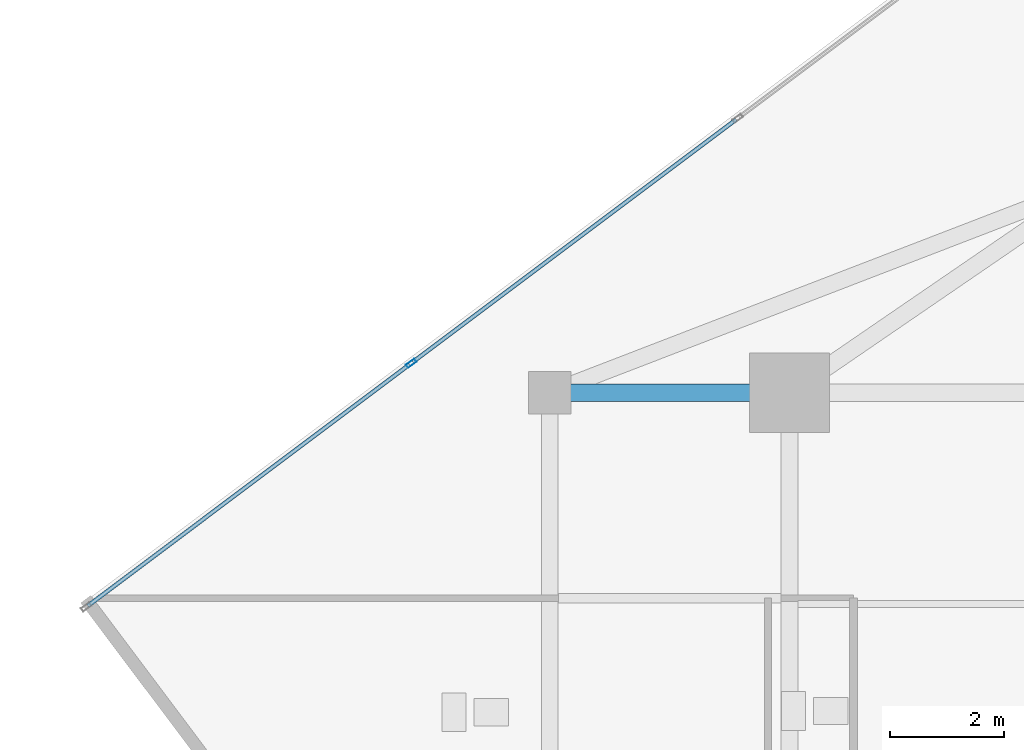
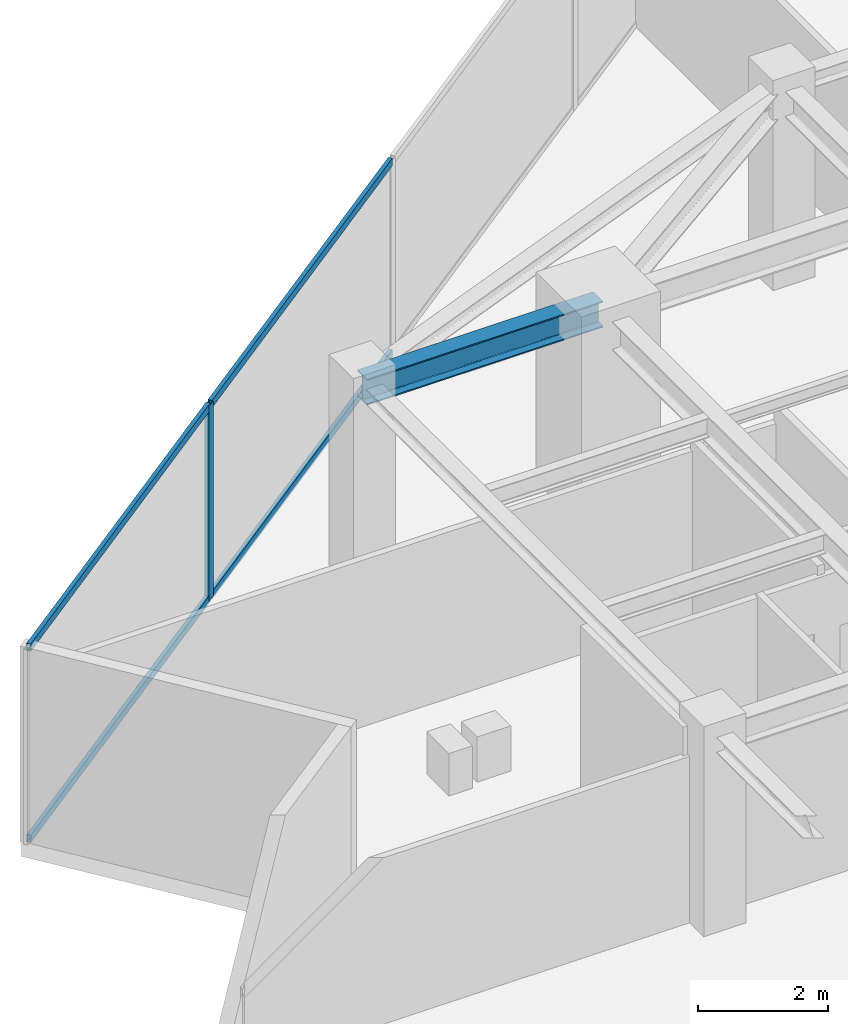
# One storey, part 11 of 21: 5 members, 1 beam, 1 element without a shape of its own.
"""IFC4 building model written with IfcOpenShell, lengths in metres."""

from ifc_helpers import new_model, si_unit, direction, frame, origin, origin_2d, place, context, subcontext, project, spatial, hollow_rectangle, i_section, extrude, source, transform, mapped, material, material_profile, profile_set, type_object, type_shapes, element, aggregate, save


model = new_model("IFC4")

# Units and contexts
model_context = context("Model", 3, precision=1e-05, world=origin(), true_north=direction((0.0, 1.0)))
body_context = subcontext(model_context, "Body", "Model", "MODEL_VIEW")
ifc_project = project(units=[si_unit("LENGTHUNIT", "METRE"), si_unit("AREAUNIT", "SQUARE_METRE"), si_unit("VOLUMEUNIT", "CUBIC_METRE"), si_unit("PLANEANGLEUNIT", "RADIAN"), si_unit("MASSUNIT", "GRAM", prefix="KILO")], contexts=[model_context])

# Site, building, storey
site_placement = place(None, origin())
site = spatial("IfcSite", under=ifc_project, at=site_placement, CompositionType="ELEMENT")
building_placement = place(site_placement, origin())
building = spatial("IfcBuilding", under=site, at=building_placement, Name="Krantzveldt Concourse Tower", CompositionType="ELEMENT")
storey_placement = place(building_placement, frame((0.0, 0.0, 267.39990234375)))
storey = spatial("IfcBuildingStorey", under=building, at=storey_placement, Name="L65", CompositionType="ELEMENT", Elevation=267.39990234375)

# Beam
ifc_material_1 = material(Name="Steel S355JR", Category="steel")
ifc_material_profile_1 = material_profile(ifc_material_1, i_section(OverallWidth=0.300048828125, OverallDepth=0.489990234375, WebThickness=0.011962890625, FlangeThickness=0.02294921875, FilletRadius=0.027099609375, at=origin_2d()), Name="Steel S355JR", Category="steel")
ifc_profile_set_1 = profile_set([ifc_material_profile_1], Name="Steel S355JR - HEA 500")
beam_type = type_object("IfcBeamType", Name="BM-B-HEA500", PredefinedType="BEAM", material=ifc_profile_set_1)
shared_shape_1 = source(origin(), body_context, "Body", "SweptSolid", [
    extrude(i_section(OverallWidth=0.300048828125, OverallDepth=0.489990234375, WebThickness=0.011962890625, FlangeThickness=0.02294921875, FilletRadius=0.027099609375, at=origin_2d()), origin(), (0.0, 0.0, 1.0), 4.199951171875),
])
type_shapes(beam_type, [shared_shape_1])
beam_placement = place(storey_placement, frame((21.0, 37.5, 3.425048828125), z_axis=(1.0, 0.0, 0.0), x_axis=(0.0, 1.0, 0.0)))
element("IfcBeam", 1, at=beam_placement, inside=storey, type_object=beam_type, Name="L65 Tower Girder BR-RL3", PredefinedType="BEAM", context=body_context, shape_type="MappedRepresentation", body=[
    mapped(shared_shape_1, transform((0.0, 0.0, 0.0), x_axis=(1.0, 0.0, 0.0), y_axis=(0.0, 1.0, 0.0), z_axis=(0.0, 0.0, 1.0), scale=1.0)),
])

# Curtain wall, members
ifc_material_2 = material(Name="Anodised aluminium 6063-T6", Category="aluminium")
curtain_wall_type = type_object("IfcCurtainWallType", Name="CW4", PredefinedType="USERDEFINED", material=ifc_material_2)
curtain_wall_placement = place(storey_placement, origin())
curtain_wall = element("IfcCurtainWall", 2, at=curtain_wall_placement, inside=storey, type_object=curtain_wall_type, Name="CW-L65-F01", ObjectType="UNITISED CURTAIN WALL", PredefinedType="USERDEFINED")
ifc_material_profile_2 = material_profile(ifc_material_2, hollow_rectangle(XDim=0.070068359375, YDim=0.179931640625, WallThickness=0.0048828125, at=origin_2d()), Name="Anodised aluminium 6063-T6", Category="aluminium")
ifc_profile_set_2 = profile_set([ifc_material_profile_2], Name="Anodised aluminium 6063-T6 - ALU-MULL 180x70x5")
member_type_1 = type_object("IfcMemberType", Name="CW-MUL-180", PredefinedType="MULLION", material=ifc_profile_set_2)
shared_shape_2 = source(origin(), body_context, "Body", "SweptSolid", [
    extrude(hollow_rectangle(XDim=0.070068359375, YDim=0.179931640625, WallThickness=0.0048828125, at=origin_2d()), origin(), (0.0, 0.0, 1.0), 3.670166015625),
])
type_shapes(member_type_1, [shared_shape_2])
member_1_placement = place(storey_placement, frame((18.572998046875, 38.016357421875, 0.0), z_axis=(0.0, 0.0, 1.0), x_axis=(0.600071326292, -0.799946500313, 0.0)))
member_1 = element("IfcMember", 3, at=member_1_placement, type_object=member_type_1, Name="CW-Z56 mullion 4", PredefinedType="MULLION", context=body_context, shape_type="MappedRepresentation", body=[
    mapped(shared_shape_2, transform((0.0, 0.0, 0.0), x_axis=(1.0, 0.0, 0.0), y_axis=(0.0, 1.0, 0.0), z_axis=(0.0, 0.0, 1.0), scale=1.0)),
])
ifc_material_profile_3 = material_profile(ifc_material_2, hollow_rectangle(XDim=0.070068359375, YDim=0.139892578125, WallThickness=0.0048828125, at=origin_2d()), Name="Anodised aluminium 6063-T6", Category="aluminium")
ifc_profile_set_3 = profile_set([ifc_material_profile_3], Name="Anodised aluminium 6063-T6 - ALU-TRAN 140x70x5")
member_type_2 = type_object("IfcMemberType", Name="CW-TRN-150", PredefinedType="USERDEFINED", material=ifc_profile_set_3)
shared_shape_3 = source(origin(), body_context, "Body", "SweptSolid", [
    extrude(hollow_rectangle(XDim=0.070068359375, YDim=0.139892578125, WallThickness=0.0048828125, at=origin_2d()), origin(), (0.0, 0.0, 1.0), 7.044921875),
])
member_2_placement = place(storey_placement, frame((18.544921875, 37.995361328125, 0.03515625), z_axis=(-0.799937616969, -0.600083168368, 0.0), x_axis=(0.600083168368, -0.799937616969, 0.0)))
member_2 = element("IfcMember", 4, at=member_2_placement, type_object=member_type_2, Name="CW-Z56 transom 4.1", ObjectType="TRANSOM", PredefinedType="USERDEFINED", context=body_context, shape_type="MappedRepresentation", body=[
    mapped(shared_shape_3, transform((0.0, 0.0, 0.0), x_axis=(1.0, 0.0, 0.0), y_axis=(0.0, 1.0, 0.0), z_axis=(0.0, 0.0, 1.0), scale=1.0)),
])
member_3_placement = place(storey_placement, frame((18.544921875, 37.995361328125, 3.635009765625), z_axis=(-0.799937616969, -0.600083168368, 0.0), x_axis=(0.600083168368, -0.799937616969, 0.0)))
member_3 = element("IfcMember", 5, at=member_3_placement, type_object=member_type_2, Name="CW-Z56 transom 4.2", ObjectType="TRANSOM", PredefinedType="USERDEFINED", context=body_context, shape_type="MappedRepresentation", body=[
    mapped(shared_shape_3, transform((0.0, 0.0, 0.0), x_axis=(1.0, 0.0, 0.0), y_axis=(0.0, 1.0, 0.0), z_axis=(0.0, 0.0, 1.0), scale=1.0)),
])
shared_shape_4 = source(origin(), body_context, "Body", "SweptSolid", [
    extrude(hollow_rectangle(XDim=0.070068359375, YDim=0.139892578125, WallThickness=0.0048828125, at=origin_2d()), origin(), (0.0, 0.0, 1.0), 7.080078125),
])
type_shapes(member_type_2, [shared_shape_3, shared_shape_4])
member_4_placement = place(storey_placement, frame((24.2646484375, 42.285888671875, 0.03515625), z_axis=(-0.799942064438, -0.600077239648, 0.0), x_axis=(0.600077239648, -0.799942064438, 0.0)))
member_4 = element("IfcMember", 6, at=member_4_placement, type_object=member_type_2, Name="CW-Z56 transom 3.1", ObjectType="TRANSOM", PredefinedType="USERDEFINED", context=body_context, shape_type="MappedRepresentation", body=[
    mapped(shared_shape_4, transform((0.0, 0.0, 0.0), x_axis=(1.0, 0.0, 0.0), y_axis=(0.0, 1.0, 0.0), z_axis=(0.0, 0.0, 1.0), scale=1.0)),
])
member_5_placement = place(storey_placement, frame((24.2646484375, 42.285888671875, 3.635009765625), z_axis=(-0.799942064438, -0.600077239648, 0.0), x_axis=(0.600077239648, -0.799942064438, 0.0)))
member_5 = element("IfcMember", 7, at=member_5_placement, type_object=member_type_2, Name="CW-Z56 transom 3.2", ObjectType="TRANSOM", PredefinedType="USERDEFINED", context=body_context, shape_type="MappedRepresentation", body=[
    mapped(shared_shape_4, transform((0.0, 0.0, 0.0), x_axis=(1.0, 0.0, 0.0), y_axis=(0.0, 1.0, 0.0), z_axis=(0.0, 0.0, 1.0), scale=1.0)),
])
aggregate(curtain_wall, [member_1, member_4, member_5, member_2, member_3])

save(model, "model.ifc")
